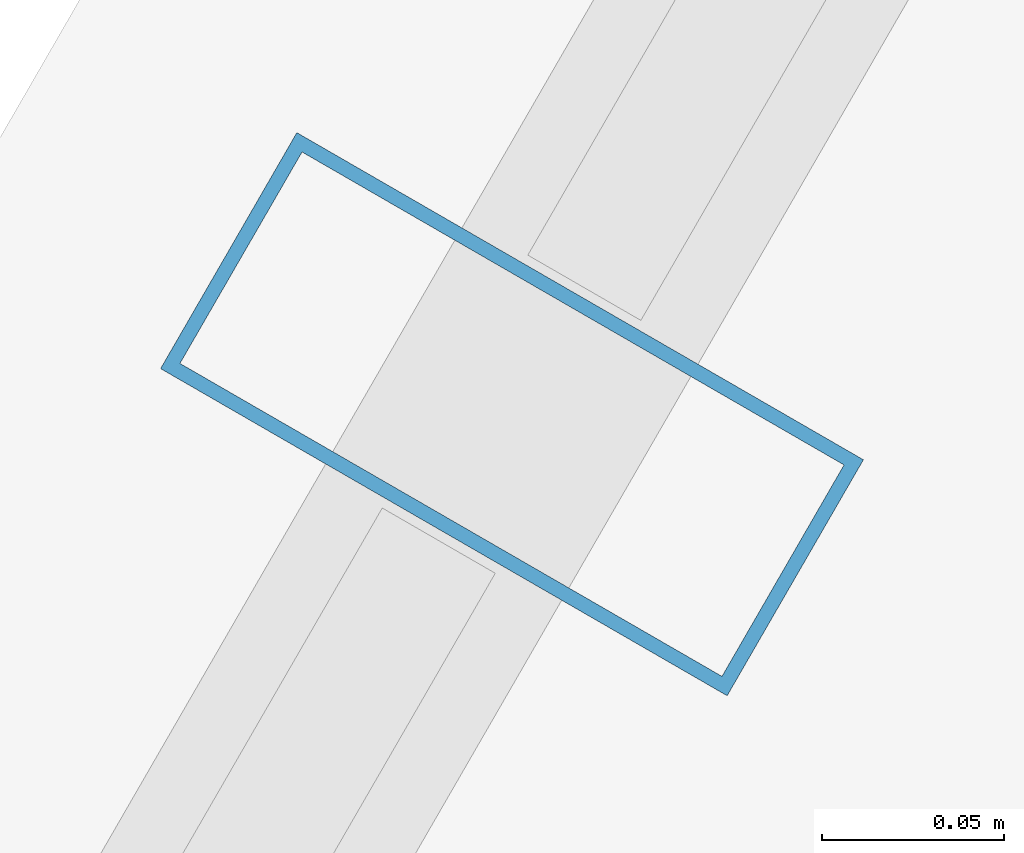
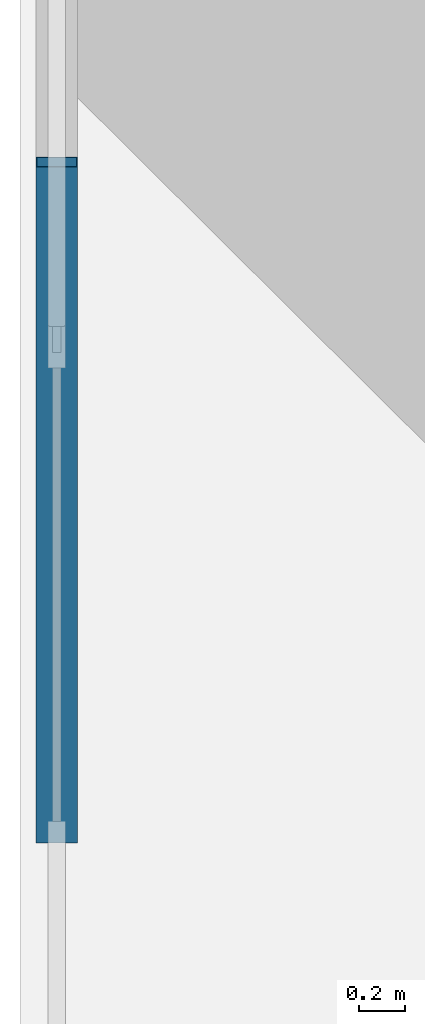
# One storey, part 16 of 34: 1 member, 1 element without a shape of its own.
"""IFC4 building model written with IfcOpenShell, lengths in metres."""

from ifc_helpers import new_model, si_unit, direction, frame, origin, origin_2d, place, context, subcontext, project, spatial, hollow_rectangle, extrude, material, layer, layer_set, material_profile, profile_set, type_object, element, aggregate, save


model = new_model("IFC4")

# Units and contexts
model_context = context("Model", 3, precision=1e-05, world=origin(), true_north=direction((0.0, 1.0)))
body_context = subcontext(model_context, "Body", "Model", "MODEL_VIEW")
ifc_project = project(units=[si_unit("LENGTHUNIT", "METRE"), si_unit("AREAUNIT", "SQUARE_METRE"), si_unit("VOLUMEUNIT", "CUBIC_METRE"), si_unit("PLANEANGLEUNIT", "RADIAN"), si_unit("MASSUNIT", "GRAM", prefix="KILO")], contexts=[model_context])

# Site, building, storey
site_placement = place(None, origin())
site = spatial("IfcSite", under=ifc_project, at=site_placement, CompositionType="ELEMENT")
building_placement = place(site_placement, origin())
building = spatial("IfcBuilding", under=site, at=building_placement, Name="Ndaravel Arena Tower", CompositionType="ELEMENT")
storey_placement = place(building_placement, frame((0.0, 0.0, 267.39990234375)))
storey = spatial("IfcBuildingStorey", under=building, at=storey_placement, Name="L65", CompositionType="ELEMENT", Elevation=267.39990234375)

# Curtain wall, member
ifc_material_1 = material(Name="Aluminium", Category="aluminium")
ifc_layer = layer(ifc_material_1, 0.179931640625)
ifc_layer_set = layer_set([ifc_layer], Name="Aluminium")
curtain_wall_type = type_object("IfcCurtainWallType", Name="CW-SYS-03", PredefinedType="NOTDEFINED", material=ifc_layer_set)
curtain_wall_placement = place(storey_placement, origin())
curtain_wall = element("IfcCurtainWall", 1, at=curtain_wall_placement, inside=storey, type_object=curtain_wall_type, Name="L65 Faceted Crystal Curtain Wall CW-L65-E05", PredefinedType="NOTDEFINED")
ifc_material_2 = material(Name="Aluminium", Category="aluminium")
ifc_material_profile = material_profile(ifc_material_2, hollow_rectangle(XDim=0.074951171875, YDim=0.179931640625, WallThickness=0.00390625, at=origin_2d()), Name="CW MULLION 75x180x4")
ifc_profile_set = profile_set([ifc_material_profile], Name="Aluminium")
member_type = type_object("IfcMemberType", Name="MEM-CW-MUL180", PredefinedType="MULLION", material=ifc_profile_set)
member_placement = place(storey_placement, frame((34.847412109375, 36.698486328125, 0.0), z_axis=(0.0, 0.0, 1.0), x_axis=(-0.5, -0.866025403784, 0.0)))
member = element("IfcMember", 2, at=member_placement, type_object=member_type, Name="CW-L65-E05 Mullion 02", PredefinedType="MULLION", context=body_context, shape_type="SweptSolid", body=[
    extrude(hollow_rectangle(XDim=0.074951171875, YDim=0.179931640625, WallThickness=0.00390625, at=origin_2d()), origin(), (0.0, 0.0, 1.0), 3.580078125),
])
aggregate(curtain_wall, [member])

save(model, "model.ifc")
